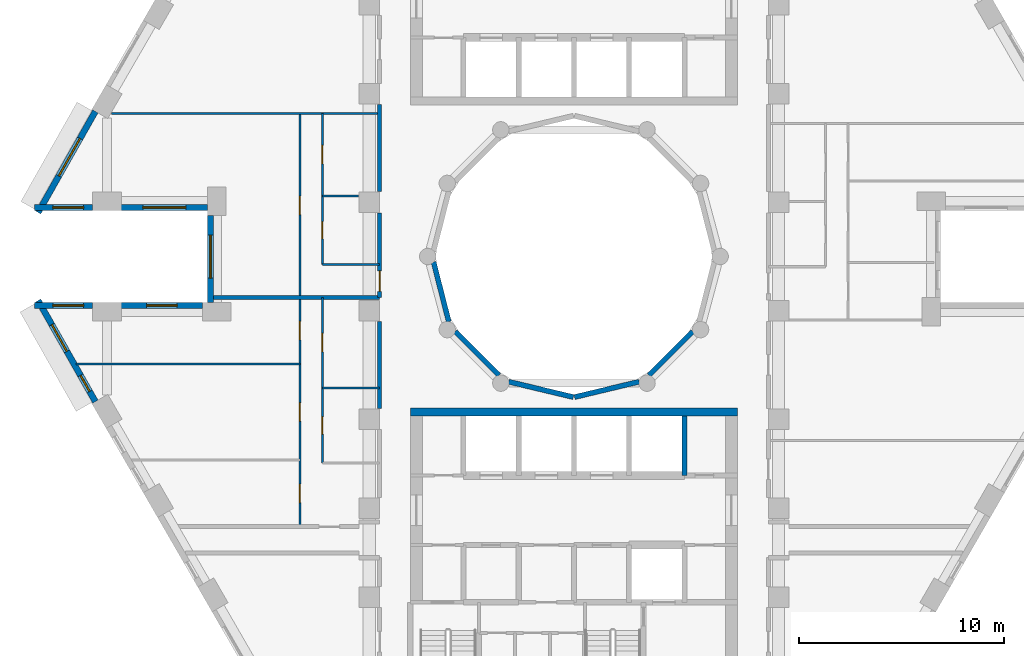
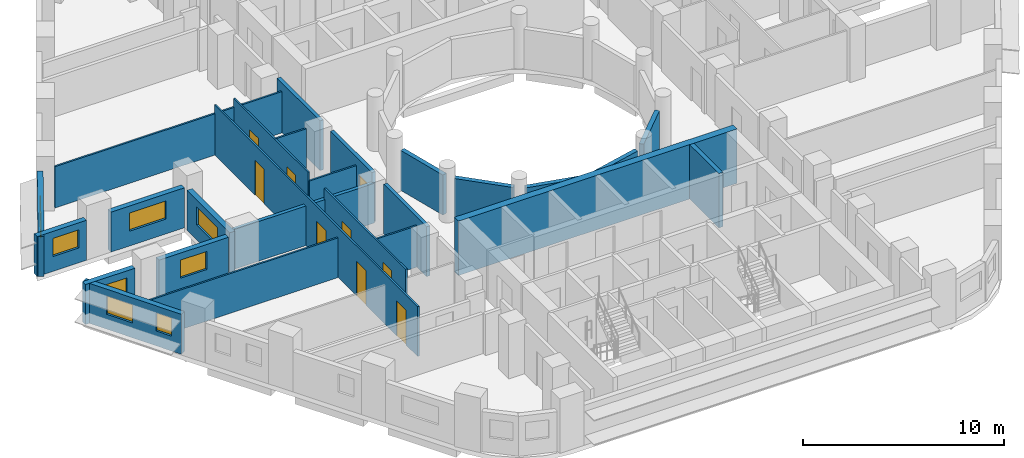
# One storey, part 4 of 12: 26 walls, 9 doors, 8 windows, 17 openings.
"""IFC4 building model written with IfcOpenShell, lengths in metres."""

from ifc_helpers import new_model, si_unit, direction, frame, frame_2d, origin, place, context, subcontext, project, spatial, rectangle, extrude, material, layer, layer_set, type_object, element, fill, save


model = new_model("IFC4")

# Units and contexts
model_context = context("Model", 3, precision=1e-05, world=origin(), true_north=direction((0.0, 1.0)))
body_context = subcontext(model_context, "Body", "Model", "MODEL_VIEW")
ifc_project = project(units=[si_unit("LENGTHUNIT", "METRE"), si_unit("AREAUNIT", "SQUARE_METRE"), si_unit("VOLUMEUNIT", "CUBIC_METRE"), si_unit("PLANEANGLEUNIT", "RADIAN"), si_unit("MASSUNIT", "GRAM", prefix="KILO")], contexts=[model_context])

# Site, building, storey
site_placement = place(None, origin())
site = spatial("IfcSite", under=ifc_project, at=site_placement, CompositionType="ELEMENT")
building_placement = place(site_placement, origin())
building = spatial("IfcBuilding", under=site, at=building_placement, Name="Nakaniwa Court", CompositionType="ELEMENT")
storey_placement = place(building_placement, frame((0.0, 0.0, 104.10009765625)))
storey = spatial("IfcBuildingStorey", under=building, at=storey_placement, Name="L27", CompositionType="ELEMENT", Elevation=104.10009765625)

# Wall
ifc_material_1 = material(Name="Acoustic double stud partition")
ifc_layer_1 = layer(ifc_material_1, 0.199951171875)
ifc_layer_set_1 = layer_set([ifc_layer_1], Name="Acoustic double stud partition")
wall_type_1 = type_object("IfcWallType", Name="Acoustic double stud partition 200", PredefinedType="PARTITIONING", material=ifc_layer_set_1)
wall_1_placement = place(storey_placement, frame((70.5, 72.56689453125, 0.0), z_axis=(0.0, 0.0, 1.0), x_axis=(0.0, 1.0, 0.0)))
element("IfcWall", 1, at=wall_1_placement, inside=storey, type_object=wall_type_1, Name="Partition PW-101", PredefinedType="PARTITIONING", context=body_context, shape_type="SweptSolid", body=[
    extrude(rectangle(XDim=4.26611328125, YDim=0.199951171875, at=frame_2d((2.133056640625, 0.0))), origin(), (0.0, 0.0, 1.0), 3.02490234375),
])

# Wall, opening, door
wall_2_placement = place(storey_placement, frame((70.5, 77.9970703125, 0.0), z_axis=(0.0, 0.0, 1.0), x_axis=(0.0, 1.0, 0.0)))
wall_2 = element("IfcWall", 2, at=wall_2_placement, inside=storey, type_object=wall_type_1, Name="Partition PW-102", PredefinedType="PARTITIONING", context=body_context, shape_type="SweptSolid", body=[
    extrude(rectangle(XDim=4.135986328125, YDim=0.199951171875, at=frame_2d((2.06787109375, 0.0))), origin(), (0.0, 0.0, 1.0), 3.02490234375),
])
opening_1_placement = place(wall_2_placement, frame((0.302978515625, 0.0, 0.0)))
opening_1 = element("IfcOpeningElement", 3, at=opening_1_placement, cuts=wall_2, Name="Opening D-01-03", PredefinedType="OPENING", context=body_context, shape_type="SweptSolid", body=[
    extrude(rectangle(XDim=1.0, YDim=2.10009765625, at=frame_2d((0.5, 1.050048828125))), frame((0.0, 0.10986328125, 0.0), z_axis=(0.0, -1.0, 0.0), x_axis=(1.0, 0.0, 0.0)), (0.0, 0.0, 1.0), 0.219970703125),
])
ifc_material_2 = material(Name="Solid core timber door set, black veneer", Category="wood")
door_type_1 = type_object("IfcDoorType", Name="Flat entrance door 1000", OperationType="NOTDEFINED", PredefinedType="DOOR", material=ifc_material_2)
door_1_placement = place(opening_1_placement, origin())
door_1 = element("IfcDoor", 4, at=door_1_placement, inside=storey, type_object=door_type_1, Name="Door D-01-03 L27-042", OperationType="SINGLE_SWING_LEFT", OverallHeight=2.10009765625, OverallWidth=1.0, PredefinedType="DOOR", context=body_context, shape_type="SweptSolid", body=[
    extrude(rectangle(XDim=1.0, YDim=2.10009765625, at=frame_2d((0.5, 1.050048828125))), frame((0.0, 0.02490234375, 0.0), z_axis=(0.0, -1.0, 0.0), x_axis=(1.0, 0.0, 0.0)), (0.0, 0.0, 1.0), 0.050048828125),
])
fill(opening_1, door_1)

# Walls
wall_3_placement = place(storey_placement, frame((70.5, 83.1669921875, 0.0), z_axis=(0.0, 0.0, 1.0), x_axis=(0.0, 1.0, 0.0)))
element("IfcWall", 5, at=wall_3_placement, inside=storey, type_object=wall_type_1, Name="Partition PW-103", PredefinedType="PARTITIONING", context=body_context, shape_type="SweptSolid", body=[
    extrude(rectangle(XDim=4.26611328125, YDim=0.199951171875, at=frame_2d((2.133056640625, 0.0))), origin(), (0.0, 0.0, 1.0), 3.02490234375),
])
wall_4_placement = place(storey_placement, frame((62.3916015625, 78.0, 0.0), z_axis=(0.0, 0.0, 1.0), x_axis=(1.0, 0.0, 0.0)))
element("IfcWall", 6, at=wall_4_placement, inside=storey, type_object=wall_type_1, Name="Partition PW-122", PredefinedType="PARTITIONING", context=body_context, shape_type="SweptSolid", body=[
    extrude(rectangle(XDim=8.1083984375, YDim=0.199951171875, at=frame_2d((4.05419921875, 0.0))), origin(), (0.0, 0.0, 1.0), 2.40478515625),
])

# Wall, opening, window
ifc_material_3 = material(Name="Charcoal ceramic cladding")
ifc_layer_2 = layer(ifc_material_3, 0.02, Name="Ceramic cladding")
ifc_material_4 = material(Name="Ventilated air cavity")
ifc_layer_3 = layer(ifc_material_4, 0.04, ventilated=True, Name="Ventilated cavity")
ifc_material_5 = material(Name="Mineral wool insulation")
ifc_layer_4 = layer(ifc_material_5, 0.1, Name="Insulation")
ifc_material_6 = material(Name="Cement bonded sheathing board")
ifc_layer_5 = layer(ifc_material_6, 0.012, Name="Sheathing")
ifc_material_7 = material(Name="Cold-formed galvanised stud frame with mineral wool infill")
ifc_layer_6 = layer(ifc_material_7, 0.1, Name="Stud frame")
ifc_material_8 = material(Name="Fire-rated gypsum plasterboard lining")
ifc_layer_7 = layer(ifc_material_8, 0.028, Name="Lining")
ifc_layer_set_2 = layer_set([ifc_layer_2, ifc_layer_3, ifc_layer_4, ifc_layer_5, ifc_layer_6, ifc_layer_7], Name="Charcoal ceramic faced external wall system")
wall_type_2 = type_object("IfcWallType", Name="Black ceramic faced external wall 300", PredefinedType="SOLIDWALL", material=ifc_layer_set_2)
wall_5_placement = place(storey_placement, frame((56.609375, 87.09375, 0.0), z_axis=(0.0, 0.0, 1.0), x_axis=(-0.492456858874, -0.870336855561, 0.0)))
wall_5 = element("IfcWall", 7, at=wall_5_placement, inside=storey, type_object=wall_type_2, Name="L27 external wall 14", PredefinedType="SOLIDWALL", context=body_context, shape_type="SweptSolid", body=[
    extrude(rectangle(XDim=5.676513671875, YDim=0.300048828125, at=frame_2d((2.83837890625, 0.0))), origin(), (0.0, 0.0, 1.0), 2.4248046875),
])
opening_2_placement = place(wall_5_placement, frame((1.52490234375, 0.0, 0.89990234375)))
opening_2 = element("IfcOpeningElement", 8, at=opening_2_placement, cuts=wall_5, Name="Opening W7.15", PredefinedType="OPENING", context=body_context, shape_type="SweptSolid", body=[
    extrude(rectangle(XDim=2.10009765625, YDim=1.10009765625, at=frame_2d((1.050048828125, 0.550048828125))), frame((0.0, 0.159912109375, 0.0), z_axis=(0.0, -1.0, 0.0), x_axis=(1.0, 0.0, 0.0)), (0.0, 0.0, 1.0), 0.320068359375),
])
ifc_material_9 = material(Name="Black anodised aluminium frame with dark low-E laminated double glazing", Category="aluminium")
window_type_1 = type_object("IfcWindowType", Name="Dark glass window 2100x1100 sill 900", PartitioningType="SINGLE_PANEL", PredefinedType="WINDOW", material=ifc_material_9)
window_1_placement = place(opening_2_placement, origin())
window_1 = element("IfcWindow", 9, at=window_1_placement, inside=storey, type_object=window_type_1, Name="L27 living window 14-0", OverallHeight=1.10009765625, OverallWidth=2.10009765625, PartitioningType="SINGLE_PANEL", PredefinedType="WINDOW", context=body_context, shape_type="SweptSolid", body=[
    extrude(rectangle(XDim=2.10009765625, YDim=1.10009765625, at=frame_2d((1.050048828125, 0.550048828125))), frame((0.0, 0.030029296875, 0.0), z_axis=(0.0, -1.0, 0.0), x_axis=(1.0, 0.0, 0.0)), (0.0, 0.0, 1.0), 0.06005859375),
])
fill(opening_2, window_1)

wall_6_placement = place(storey_placement, frame((53.643310546875, 82.39990234375, 0.0), z_axis=(0.0, 0.0, 1.0), x_axis=(1.0, 0.0, 0.0)))
wall_6 = element("IfcWall", 10, at=wall_6_placement, inside=storey, type_object=wall_type_2, Name="L27 external wall 15", PredefinedType="SOLIDWALL", context=body_context, shape_type="SweptSolid", body=[
    extrude(rectangle(XDim=2.837890625, YDim=0.300048828125, at=frame_2d((1.4189453125, 0.0))), origin(), (0.0, 0.0, 1.0), 2.4248046875),
])
opening_3_placement = place(wall_6_placement, frame((0.893798828125, 0.0, 0.89990234375)))
opening_3 = element("IfcOpeningElement", 11, at=opening_3_placement, cuts=wall_6, Name="Opening W5.16", PredefinedType="OPENING", context=body_context, shape_type="SweptSolid", body=[
    extrude(rectangle(XDim=1.5, YDim=1.10009765625, at=frame_2d((0.75, 0.550048828125))), frame((0.0, 0.159912109375, 0.0), z_axis=(0.0, -1.0, 0.0), x_axis=(1.0, 0.0, 0.0)), (0.0, 0.0, 1.0), 0.320068359375),
])
window_type_2 = type_object("IfcWindowType", Name="Dark glass window 1500x1100 sill 900", PartitioningType="SINGLE_PANEL", PredefinedType="WINDOW", material=ifc_material_9)
window_2_placement = place(opening_3_placement, origin())
window_2 = element("IfcWindow", 12, at=window_2_placement, inside=storey, type_object=window_type_2, Name="L27 living window 15-0", OverallHeight=1.10009765625, OverallWidth=1.5, PartitioningType="SINGLE_PANEL", PredefinedType="WINDOW", context=body_context, shape_type="SweptSolid", body=[
    extrude(rectangle(XDim=1.5, YDim=1.10009765625, at=frame_2d((0.75, 0.550048828125))), frame((0.0, 0.030029296875, 0.0), z_axis=(0.0, -1.0, 0.0), x_axis=(1.0, 0.0, 0.0)), (0.0, 0.0, 1.0), 0.06005859375),
])
fill(opening_3, window_2)

wall_7_placement = place(storey_placement, frame((57.873046875, 82.39990234375, 0.0), z_axis=(0.0, 0.0, 1.0), x_axis=(1.0, 0.0, 0.0)))
wall_7 = element("IfcWall", 13, at=wall_7_placement, inside=storey, type_object=wall_type_2, Name="L27 external wall 16", PredefinedType="SOLIDWALL", context=body_context, shape_type="SweptSolid", body=[
    extrude(rectangle(XDim=4.22265625, YDim=0.300048828125, at=frame_2d((2.111328125, 0.0))), origin(), (0.0, 0.0, 1.0), 2.4248046875),
])
opening_4_placement = place(wall_7_placement, frame((1.061279296875, 0.0, 0.89990234375)))
opening_4 = element("IfcOpeningElement", 14, at=opening_4_placement, cuts=wall_7, Name="Opening W7.17", PredefinedType="OPENING", context=body_context, shape_type="SweptSolid", body=[
    extrude(rectangle(XDim=2.10009765625, YDim=1.10009765625, at=frame_2d((1.050048828125, 0.550048828125))), frame((0.0, 0.159912109375, 0.0), z_axis=(0.0, -1.0, 0.0), x_axis=(1.0, 0.0, 0.0)), (0.0, 0.0, 1.0), 0.320068359375),
])
window_3_placement = place(opening_4_placement, origin())
window_3 = element("IfcWindow", 15, at=window_3_placement, inside=storey, type_object=window_type_1, Name="L27 living window 16-0", OverallHeight=1.10009765625, OverallWidth=2.10009765625, PartitioningType="SINGLE_PANEL", PredefinedType="WINDOW", context=body_context, shape_type="SweptSolid", body=[
    extrude(rectangle(XDim=2.10009765625, YDim=1.10009765625, at=frame_2d((1.050048828125, 0.550048828125))), frame((0.0, 0.030029296875, 0.0), z_axis=(0.0, -1.0, 0.0), x_axis=(1.0, 0.0, 0.0)), (0.0, 0.0, 1.0), 0.06005859375),
])
fill(opening_4, window_3)

wall_8_placement = place(storey_placement, frame((62.24169921875, 82.00390625, 0.0), z_axis=(0.0, 0.0, 1.0), x_axis=(0.0, -1.0, 0.0)))
wall_8 = element("IfcWall", 16, at=wall_8_placement, inside=storey, type_object=wall_type_2, Name="L27 external wall 17", PredefinedType="SOLIDWALL", context=body_context, shape_type="SweptSolid", body=[
    extrude(rectangle(XDim=4.2578125, YDim=0.300048828125, at=frame_2d((2.12890625, 0.0))), origin(), (0.0, 0.0, 1.0), 2.4248046875),
])
opening_5_placement = place(wall_8_placement, frame((0.964111328125, 0.0, 0.89990234375)))
opening_5 = element("IfcOpeningElement", 17, at=opening_5_placement, cuts=wall_8, Name="Opening W7.18", PredefinedType="OPENING", context=body_context, shape_type="SweptSolid", body=[
    extrude(rectangle(XDim=2.10009765625, YDim=1.10009765625, at=frame_2d((1.050048828125, 0.550048828125))), frame((0.0, 0.159912109375, 0.0), z_axis=(0.0, -1.0, 0.0), x_axis=(1.0, 0.0, 0.0)), (0.0, 0.0, 1.0), 0.320068359375),
])
window_4_placement = place(opening_5_placement, origin())
window_4 = element("IfcWindow", 18, at=window_4_placement, inside=storey, type_object=window_type_1, Name="L27 living window 17-0", OverallHeight=1.10009765625, OverallWidth=2.10009765625, PartitioningType="SINGLE_PANEL", PredefinedType="WINDOW", context=body_context, shape_type="SweptSolid", body=[
    extrude(rectangle(XDim=2.10009765625, YDim=1.10009765625, at=frame_2d((1.050048828125, 0.550048828125))), frame((0.0, 0.030029296875, 0.0), z_axis=(0.0, -1.0, 0.0), x_axis=(1.0, 0.0, 0.0)), (0.0, 0.0, 1.0), 0.06005859375),
])
fill(opening_5, window_4)

wall_9_placement = place(storey_placement, frame((61.845703125, 77.60009765625, 0.0), z_axis=(0.0, 0.0, 1.0), x_axis=(-1.0, 0.0, 0.0)))
wall_9 = element("IfcWall", 19, at=wall_9_placement, inside=storey, type_object=wall_type_2, Name="L27 external wall 18", PredefinedType="SOLIDWALL", context=body_context, shape_type="SweptSolid", body=[
    extrude(rectangle(XDim=3.97265625, YDim=0.300048828125, at=frame_2d((1.986328125, 0.0))), origin(), (0.0, 0.0, 1.0), 2.4248046875),
])
opening_6_placement = place(wall_9_placement, frame((1.236328125, 0.0, 0.89990234375)))
opening_6 = element("IfcOpeningElement", 20, at=opening_6_placement, cuts=wall_9, Name="Opening W5.19", PredefinedType="OPENING", context=body_context, shape_type="SweptSolid", body=[
    extrude(rectangle(XDim=1.5, YDim=1.10009765625, at=frame_2d((0.75, 0.550048828125))), frame((0.0, 0.159912109375, 0.0), z_axis=(0.0, -1.0, 0.0), x_axis=(1.0, 0.0, 0.0)), (0.0, 0.0, 1.0), 0.320068359375),
])
window_5_placement = place(opening_6_placement, origin())
window_5 = element("IfcWindow", 21, at=window_5_placement, inside=storey, type_object=window_type_2, Name="L27 bedroom window 18-0", OverallHeight=1.10009765625, OverallWidth=1.5, PartitioningType="SINGLE_PANEL", PredefinedType="WINDOW", context=body_context, shape_type="SweptSolid", body=[
    extrude(rectangle(XDim=1.5, YDim=1.10009765625, at=frame_2d((0.75, 0.550048828125))), frame((0.0, 0.030029296875, 0.0), z_axis=(0.0, -1.0, 0.0), x_axis=(1.0, 0.0, 0.0)), (0.0, 0.0, 1.0), 0.06005859375),
])
fill(opening_6, window_5)

wall_10_placement = place(storey_placement, frame((56.481201171875, 77.60009765625, 0.0), z_axis=(0.0, 0.0, 1.0), x_axis=(-1.0, 0.0, 0.0)))
wall_10 = element("IfcWall", 22, at=wall_10_placement, inside=storey, type_object=wall_type_2, Name="L27 external wall 19", PredefinedType="SOLIDWALL", context=body_context, shape_type="SweptSolid", body=[
    extrude(rectangle(XDim=2.837890625, YDim=0.300048828125, at=frame_2d((1.4189453125, 0.0))), origin(), (0.0, 0.0, 1.0), 2.4248046875),
])
opening_7_placement = place(wall_10_placement, frame((0.44384765625, 0.0, 0.89990234375)))
opening_7 = element("IfcOpeningElement", 23, at=opening_7_placement, cuts=wall_10, Name="Opening W5.20", PredefinedType="OPENING", context=body_context, shape_type="SweptSolid", body=[
    extrude(rectangle(XDim=1.5, YDim=1.10009765625, at=frame_2d((0.75, 0.550048828125))), frame((0.0, 0.159912109375, 0.0), z_axis=(0.0, -1.0, 0.0), x_axis=(1.0, 0.0, 0.0)), (0.0, 0.0, 1.0), 0.320068359375),
])
window_6_placement = place(opening_7_placement, origin())
window_6 = element("IfcWindow", 24, at=window_6_placement, inside=storey, type_object=window_type_2, Name="L27 bedroom window 19-0", OverallHeight=1.10009765625, OverallWidth=1.5, PartitioningType="SINGLE_PANEL", PredefinedType="WINDOW", context=body_context, shape_type="SweptSolid", body=[
    extrude(rectangle(XDim=1.5, YDim=1.10009765625, at=frame_2d((0.75, 0.550048828125))), frame((0.0, 0.030029296875, 0.0), z_axis=(0.0, -1.0, 0.0), x_axis=(1.0, 0.0, 0.0)), (0.0, 0.0, 1.0), 0.06005859375),
])
fill(opening_7, window_6)

# Wall, openings, windows
wall_11_placement = place(storey_placement, frame((53.81396484375, 77.8466796875, 0.0), z_axis=(0.0, 0.0, 1.0), x_axis=(0.492456858874, -0.870336855561, 0.0)))
wall_11 = element("IfcWall", 25, at=wall_11_placement, inside=storey, type_object=wall_type_2, Name="L27 external wall 20", PredefinedType="SOLIDWALL", context=body_context, shape_type="SweptSolid", body=[
    extrude(rectangle(XDim=5.676513671875, YDim=0.300048828125, at=frame_2d((2.83837890625, 0.0))), origin(), (0.0, 0.0, 1.0), 2.4248046875),
])
opening_8_placement = place(wall_11_placement, frame((1.35400390625, 0.0, 0.89990234375)))
opening_8 = element("IfcOpeningElement", 26, at=opening_8_placement, cuts=wall_11, Name="Opening W5.21", PredefinedType="OPENING", context=body_context, shape_type="SweptSolid", body=[
    extrude(rectangle(XDim=1.5, YDim=1.10009765625, at=frame_2d((0.75, 0.550048828125))), frame((0.0, 0.159912109375, 0.0), z_axis=(0.0, -1.0, 0.0), x_axis=(1.0, 0.0, 0.0)), (0.0, 0.0, 1.0), 0.320068359375),
])
opening_9_placement = place(wall_11_placement, frame((4.203369140625, 0.0, 0.89990234375)))
opening_9 = element("IfcOpeningElement", 27, at=opening_9_placement, cuts=wall_11, Name="Opening W9.22", PredefinedType="OPENING", context=body_context, shape_type="SweptSolid", body=[
    extrude(rectangle(XDim=0.89990234375, YDim=1.10009765625, at=frame_2d((0.449951171875, 0.550048828125))), frame((0.0, 0.159912109375, 0.0), z_axis=(0.0, -1.0, 0.0), x_axis=(1.0, 0.0, 0.0)), (0.0, 0.0, 1.0), 0.320068359375),
])
window_7_placement = place(opening_8_placement, origin())
window_7 = element("IfcWindow", 28, at=window_7_placement, inside=storey, type_object=window_type_2, Name="L27 bedroom window 20-0", OverallHeight=1.10009765625, OverallWidth=1.5, PartitioningType="SINGLE_PANEL", PredefinedType="WINDOW", context=body_context, shape_type="SweptSolid", body=[
    extrude(rectangle(XDim=1.5, YDim=1.10009765625, at=frame_2d((0.75, 0.550048828125))), frame((0.0, 0.030029296875, 0.0), z_axis=(0.0, -1.0, 0.0), x_axis=(1.0, 0.0, 0.0)), (0.0, 0.0, 1.0), 0.06005859375),
])
fill(opening_8, window_7)
window_type_3 = type_object("IfcWindowType", Name="Dark glass window 900x1100 sill 900", PartitioningType="SINGLE_PANEL", PredefinedType="WINDOW", material=ifc_material_9)
window_8_placement = place(opening_9_placement, origin())
window_8 = element("IfcWindow", 29, at=window_8_placement, inside=storey, type_object=window_type_3, Name="L27 living window 20-1", OverallHeight=1.10009765625, OverallWidth=0.89990234375, PartitioningType="SINGLE_PANEL", PredefinedType="WINDOW", context=body_context, shape_type="SweptSolid", body=[
    extrude(rectangle(XDim=0.89990234375, YDim=1.10009765625, at=frame_2d((0.449951171875, 0.550048828125))), frame((0.0, 0.030029296875, 0.0), z_axis=(0.0, -1.0, 0.0), x_axis=(1.0, 0.0, 0.0)), (0.0, 0.0, 1.0), 0.06005859375),
])
fill(opening_9, window_8)

# Walls
ifc_layer_8 = layer(ifc_material_3, 0.02, Name="Ceramic cladding")
ifc_layer_9 = layer(ifc_material_4, 0.04, ventilated=True, Name="Ventilated cavity")
ifc_layer_10 = layer(ifc_material_5, 0.075, Name="Insulation")
ifc_layer_11 = layer(ifc_material_6, 0.012, Name="Sheathing")
ifc_layer_12 = layer(ifc_material_7, 0.075, Name="Stud frame")
ifc_layer_13 = layer(ifc_material_8, 0.028, Name="Lining")
ifc_layer_set_3 = layer_set([ifc_layer_8, ifc_layer_9, ifc_layer_10, ifc_layer_11, ifc_layer_12, ifc_layer_13], Name="Charcoal ceramic faced external wall system")
wall_type_3 = type_object("IfcWallType", Name="Charcoal ceramic faced well wall 250", PredefinedType="SOLIDWALL", material=ifc_layer_set_3)
wall_12_placement = place(storey_placement, frame((85.8056640625, 76.339111328125, 0.0), z_axis=(0.0, 0.0, 1.0), x_axis=(-0.707106781187, -0.707106781187, 0.0)))
element("IfcWall", 30, at=wall_12_placement, inside=storey, type_object=wall_type_3, Name="L27 external wall 37", PredefinedType="SOLIDWALL", context=body_context, shape_type="SweptSolid", body=[
    extrude(rectangle(XDim=3.033203125, YDim=0.25, at=frame_2d((1.5166015625, 0.0))), origin(), (0.0, 0.0, 1.0), 2.4248046875),
])
for number, where, z_axis, x_axis, name in (
    (31, (83.186279296875, 73.880615234375, 0.0), (0.0, 0.0, 1.0), (-0.972773113459, -0.231759508395, 0.0), "L27 external wall 38"),
    (32, (79.970947265625, 73.12841796875, 0.0), (0.0, 0.0, 1.0), (-0.972773113459, 0.231759508395, 0.0), "L27 external wall 39"),
):
    element("IfcWall", number, at=place(storey_placement, frame(where, z_axis=z_axis, x_axis=x_axis)), inside=storey, type_object=wall_type_3, Name=name, PredefinedType="SOLIDWALL", context=body_context, shape_type="SweptSolid", body=[
        extrude(rectangle(XDim=3.24560546875, YDim=0.25, at=frame_2d((1.622802734375, 0.0))), origin(), (0.0, 0.0, 1.0), 2.4248046875),
    ])
wall_13_placement = place(storey_placement, frame((76.339111328125, 74.1943359375, 0.0), z_axis=(0.0, 0.0, 1.0), x_axis=(-0.707106781187, 0.707106781187, 0.0)))
element("IfcWall", 33, at=wall_13_placement, inside=storey, type_object=wall_type_3, Name="L27 external wall 40", PredefinedType="SOLIDWALL", context=body_context, shape_type="SweptSolid", body=[
    extrude(rectangle(XDim=3.033203125, YDim=0.25, at=frame_2d((1.5166015625, 0.0))), origin(), (0.0, 0.0, 1.0), 2.4248046875),
])
wall_14_placement = place(storey_placement, frame((73.88330078125, 76.813232421875, 0.0), z_axis=(0.0, 0.0, 1.0), x_axis=(-0.247055971283, 0.969001211069, 0.0)))
element("IfcWall", 34, at=wall_14_placement, inside=storey, type_object=wall_type_3, Name="L27 external wall 41", PredefinedType="SOLIDWALL", context=body_context, shape_type="SweptSolid", body=[
    extrude(rectangle(XDim=3.010009765625, YDim=0.25, at=frame_2d((1.5048828125, 0.0))), origin(), (0.0, 0.0, 1.0), 2.4248046875),
])
ifc_material_10 = material(Name="Concrete C80/100", Category="concrete")
ifc_layer_14 = layer(ifc_material_10, 0.39990234375)
ifc_layer_set_4 = layer_set([ifc_layer_14], Name="Concrete C80/100")
wall_type_4 = type_object("IfcWallType", Name="Concrete core well wall 400 C80", PredefinedType="SHEAR", material=ifc_layer_set_4)
wall_15_placement = place(storey_placement, frame((72.00390625, 72.39990234375, -0.275146484375), z_axis=(0.0, 0.0, 1.0), x_axis=(1.0, 0.0, 0.0)))
element("IfcWall", 35, at=wall_15_placement, inside=storey, type_object=wall_type_4, Name="Core wall SW-131", PredefinedType="SHEAR", context=body_context, shape_type="SweptSolid", body=[
    extrude(rectangle(XDim=15.9921875, YDim=0.39990234375, at=frame_2d((7.99609375, 0.0))), origin(), (0.0, 0.0, 1.0), 3.300048828125),
])
ifc_layer_15 = layer(ifc_material_10, 0.25)
ifc_layer_set_5 = layer_set([ifc_layer_15], Name="Concrete C80/100")
wall_type_5 = type_object("IfcWallType", Name="Concrete shaft wall 250 C80", PredefinedType="SHEAR", material=ifc_layer_set_5)
wall_16_placement = place(storey_placement, frame((85.39990234375, 69.300048828125, -0.275146484375), z_axis=(0.0, 0.0, 1.0), x_axis=(0.0, 1.0, 0.0)))
element("IfcWall", 36, at=wall_16_placement, inside=storey, type_object=wall_type_5, Name="Core wall SW-47", PredefinedType="SHEAR", context=body_context, shape_type="SweptSolid", body=[
    extrude(rectangle(XDim=2.89990234375, YDim=0.25, at=frame_2d((1.449951171875, 0.0))), origin(), (0.0, 0.0, 1.0), 3.300048828125),
])
ifc_material_11 = material(Name="Single stud plasterboard partition")
ifc_layer_16 = layer(ifc_material_11, 0.10009765625)
ifc_layer_set_6 = layer_set([ifc_layer_16], Name="Single stud plasterboard partition")
wall_type_6 = type_object("IfcWallType", Name="Single stud plasterboard partition 100", PredefinedType="PARTITIONING", material=ifc_layer_set_6)
wall_17_placement = place(storey_placement, frame((67.699951171875, 73.58203125, 0.0), z_axis=(0.0, 0.0, 1.0), x_axis=(1.0, 0.0, 0.0)))
element("IfcWall", 37, at=wall_17_placement, inside=storey, type_object=wall_type_6, Name="Partition PW-118", PredefinedType="PARTITIONING", context=body_context, shape_type="SweptSolid", body=[
    extrude(rectangle(XDim=2.800048828125, YDim=0.10009765625, at=frame_2d((1.39990234375, 0.0))), origin(), (0.0, 0.0, 1.0), 2.5048828125),
])

# Wall, openings, doors
wall_18_placement = place(storey_placement, frame((67.699951171875, 78.0, 0.0), z_axis=(0.0, 0.0, 1.0), x_axis=(0.0, -1.0, 0.0)))
wall_18 = element("IfcWall", 38, at=wall_18_placement, inside=storey, type_object=wall_type_6, Name="Partition PW-120", PredefinedType="PARTITIONING", context=body_context, shape_type="SweptSolid", body=[
    extrude(rectangle(XDim=8.10009765625, YDim=0.10009765625, at=frame_2d((4.050048828125, 0.0))), origin(), (0.0, 0.0, 1.0), 3.02490234375),
])
opening_10_placement = place(wall_18_placement, frame((5.833984375, 0.0, 0.0)))
opening_10 = element("IfcOpeningElement", 39, at=opening_10_placement, cuts=wall_18, Name="Opening D-03-02", PredefinedType="OPENING", context=body_context, shape_type="SweptSolid", body=[
    extrude(rectangle(XDim=0.85009765625, YDim=2.10009765625, at=frame_2d((0.425048828125, 1.050048828125))), frame((0.0, 0.06005859375, 0.0), z_axis=(0.0, -1.0, 0.0), x_axis=(1.0, 0.0, 0.0)), (0.0, 0.0, 1.0), 0.1201171875),
])
opening_11_placement = place(wall_18_placement, frame((1.759033203125, 0.0, 0.0)))
opening_11 = element("IfcOpeningElement", 40, at=opening_11_placement, cuts=wall_18, Name="Opening D-33-05", PredefinedType="OPENING", context=body_context, shape_type="SweptSolid", body=[
    extrude(rectangle(XDim=0.89990234375, YDim=2.10009765625, at=frame_2d((0.449951171875, 1.050048828125))), frame((0.0, 0.06005859375, 0.0), z_axis=(0.0, -1.0, 0.0), x_axis=(1.0, 0.0, 0.0)), (0.0, 0.0, 1.0), 0.1201171875),
])
ifc_material_12 = material(Name="Moisture sealed timber door set", Category="wood")
door_type_2 = type_object("IfcDoorType", Name="Bathroom door 850", OperationType="NOTDEFINED", PredefinedType="DOOR", material=ifc_material_12)
door_2_placement = place(opening_10_placement, origin())
door_2 = element("IfcDoor", 41, at=door_2_placement, inside=storey, type_object=door_type_2, Name="Door D-03-02 L27-037", OperationType="SINGLE_SWING_RIGHT", OverallHeight=2.10009765625, OverallWidth=0.85009765625, PredefinedType="DOOR", context=body_context, shape_type="SweptSolid", body=[
    extrude(rectangle(XDim=0.85009765625, YDim=2.10009765625, at=frame_2d((0.425048828125, 1.050048828125))), frame((0.0, 0.02490234375, 0.0), z_axis=(0.0, -1.0, 0.0), x_axis=(1.0, 0.0, 0.0)), (0.0, 0.0, 1.0), 0.050048828125),
])
fill(opening_10, door_2)
door_type_3 = type_object("IfcDoorType", Name="Internal door 900", OperationType="NOTDEFINED", PredefinedType="DOOR", material=ifc_material_2)
door_3_placement = place(opening_11_placement, origin())
door_3 = element("IfcDoor", 42, at=door_3_placement, inside=storey, type_object=door_type_3, Name="Door D-33-05 L27-038", OperationType="SINGLE_SWING_LEFT", OverallHeight=2.10009765625, OverallWidth=0.89990234375, PredefinedType="DOOR", context=body_context, shape_type="SweptSolid", body=[
    extrude(rectangle(XDim=0.89990234375, YDim=2.10009765625, at=frame_2d((0.449951171875, 1.050048828125))), frame((0.0, 0.02490234375, 0.0), z_axis=(0.0, -1.0, 0.0), x_axis=(1.0, 0.0, 0.0)), (0.0, 0.0, 1.0), 0.050048828125),
])
fill(opening_11, door_3)

wall_19_placement = place(storey_placement, frame((67.699951171875, 87.0, 0.0), z_axis=(0.0, 0.0, 1.0), x_axis=(0.0, -1.0, 0.0)))
wall_19 = element("IfcWall", 43, at=wall_19_placement, inside=storey, type_object=wall_type_6, Name="Partition PW-121", PredefinedType="PARTITIONING", context=body_context, shape_type="SweptSolid", body=[
    extrude(rectangle(XDim=7.39990234375, YDim=0.10009765625, at=frame_2d((3.699951171875, 0.0))), origin(), (0.0, 0.0, 1.0), 3.02490234375),
])
opening_12_placement = place(wall_19_placement, frame((5.29296875, 0.0, 0.0)))
opening_12 = element("IfcOpeningElement", 44, at=opening_12_placement, cuts=wall_19, Name="Opening D-03-03", PredefinedType="OPENING", context=body_context, shape_type="SweptSolid", body=[
    extrude(rectangle(XDim=0.85009765625, YDim=2.10009765625, at=frame_2d((0.425048828125, 1.050048828125))), frame((0.0, 0.06005859375, 0.0), z_axis=(0.0, -1.0, 0.0), x_axis=(1.0, 0.0, 0.0)), (0.0, 0.0, 1.0), 0.1201171875),
])
opening_13_placement = place(wall_19_placement, frame((1.568115234375, 0.0, 0.0)))
opening_13 = element("IfcOpeningElement", 45, at=opening_13_placement, cuts=wall_19, Name="Opening D-33-09", PredefinedType="OPENING", context=body_context, shape_type="SweptSolid", body=[
    extrude(rectangle(XDim=0.89990234375, YDim=2.10009765625, at=frame_2d((0.449951171875, 1.050048828125))), frame((0.0, 0.06005859375, 0.0), z_axis=(0.0, -1.0, 0.0), x_axis=(1.0, 0.0, 0.0)), (0.0, 0.0, 1.0), 0.1201171875),
])
door_4_placement = place(opening_12_placement, origin())
door_4 = element("IfcDoor", 46, at=door_4_placement, inside=storey, type_object=door_type_2, Name="Door D-03-03 L27-043", OperationType="SINGLE_SWING_RIGHT", OverallHeight=2.10009765625, OverallWidth=0.85009765625, PredefinedType="DOOR", context=body_context, shape_type="SweptSolid", body=[
    extrude(rectangle(XDim=0.85009765625, YDim=2.10009765625, at=frame_2d((0.425048828125, 1.050048828125))), frame((0.0, 0.02490234375, 0.0), z_axis=(0.0, -1.0, 0.0), x_axis=(1.0, 0.0, 0.0)), (0.0, 0.0, 1.0), 0.050048828125),
])
fill(opening_12, door_4)
door_5_placement = place(opening_13_placement, origin())
door_5 = element("IfcDoor", 47, at=door_5_placement, inside=storey, type_object=door_type_3, Name="Door D-33-09 L27-044", OperationType="SINGLE_SWING_LEFT", OverallHeight=2.10009765625, OverallWidth=0.89990234375, PredefinedType="DOOR", context=body_context, shape_type="SweptSolid", body=[
    extrude(rectangle(XDim=0.89990234375, YDim=2.10009765625, at=frame_2d((0.449951171875, 1.050048828125))), frame((0.0, 0.02490234375, 0.0), z_axis=(0.0, -1.0, 0.0), x_axis=(1.0, 0.0, 0.0)), (0.0, 0.0, 1.0), 0.050048828125),
])
fill(opening_13, door_5)

wall_20_placement = place(storey_placement, frame((66.60009765625, 66.800048828125, 0.0), z_axis=(0.0, 0.0, 1.0), x_axis=(0.0, 1.0, 0.0)))
wall_20 = element("IfcWall", 48, at=wall_20_placement, inside=storey, type_object=wall_type_6, Name="Partition PW-123", PredefinedType="PARTITIONING", context=body_context, shape_type="SweptSolid", body=[
    extrude(rectangle(XDim=20.199951171875, YDim=0.10009765625, at=frame_2d((10.10009765625, 0.0))), origin(), (0.0, 0.0, 1.0), 3.02490234375),
])
opening_14_placement = place(wall_20_placement, frame((1.176025390625, 0.0, 0.0)))
opening_14 = element("IfcOpeningElement", 49, at=opening_14_placement, cuts=wall_20, Name="Opening D-33-06", PredefinedType="OPENING", context=body_context, shape_type="SweptSolid", body=[
    extrude(rectangle(XDim=0.89990234375, YDim=2.10009765625, at=frame_2d((0.449951171875, 1.050048828125))), frame((0.0, 0.06005859375, 0.0), z_axis=(0.0, -1.0, 0.0), x_axis=(1.0, 0.0, 0.0)), (0.0, 0.0, 1.0), 0.1201171875),
])
opening_15_placement = place(wall_20_placement, frame((5.14990234375, 0.0, 0.0)))
opening_15 = element("IfcOpeningElement", 50, at=opening_15_placement, cuts=wall_20, Name="Opening D-33-07", PredefinedType="OPENING", context=body_context, shape_type="SweptSolid", body=[
    extrude(rectangle(XDim=0.89990234375, YDim=2.10009765625, at=frame_2d((0.449951171875, 1.050048828125))), frame((0.0, 0.06005859375, 0.0), z_axis=(0.0, -1.0, 0.0), x_axis=(1.0, 0.0, 0.0)), (0.0, 0.0, 1.0), 0.1201171875),
])
opening_16_placement = place(wall_20_placement, frame((9.1240234375, 0.0, 0.0)))
opening_16 = element("IfcOpeningElement", 51, at=opening_16_placement, cuts=wall_20, Name="Opening D-33-08", PredefinedType="OPENING", context=body_context, shape_type="SweptSolid", body=[
    extrude(rectangle(XDim=0.89990234375, YDim=2.10009765625, at=frame_2d((0.449951171875, 1.050048828125))), frame((0.0, 0.06005859375, 0.0), z_axis=(0.0, -1.0, 0.0), x_axis=(1.0, 0.0, 0.0)), (0.0, 0.0, 1.0), 0.1201171875),
])
opening_17_placement = place(wall_20_placement, frame((15.25, 0.0, 0.0)))
opening_17 = element("IfcOpeningElement", 52, at=opening_17_placement, cuts=wall_20, Name="Opening D-33-10", PredefinedType="OPENING", context=body_context, shape_type="SweptSolid", body=[
    extrude(rectangle(XDim=0.89990234375, YDim=2.10009765625, at=frame_2d((0.449951171875, 1.050048828125))), frame((0.0, 0.06005859375, 0.0), z_axis=(0.0, -1.0, 0.0), x_axis=(1.0, 0.0, 0.0)), (0.0, 0.0, 1.0), 0.1201171875),
])
door_6_placement = place(opening_14_placement, origin())
door_6 = element("IfcDoor", 53, at=door_6_placement, inside=storey, type_object=door_type_3, Name="Door D-33-06 L27-039", OperationType="SINGLE_SWING_RIGHT", OverallHeight=2.10009765625, OverallWidth=0.89990234375, PredefinedType="DOOR", context=body_context, shape_type="SweptSolid", body=[
    extrude(rectangle(XDim=0.89990234375, YDim=2.10009765625, at=frame_2d((0.449951171875, 1.050048828125))), frame((0.0, 0.02490234375, 0.0), z_axis=(0.0, -1.0, 0.0), x_axis=(1.0, 0.0, 0.0)), (0.0, 0.0, 1.0), 0.050048828125),
])
fill(opening_14, door_6)
door_7_placement = place(opening_15_placement, origin())
door_7 = element("IfcDoor", 54, at=door_7_placement, inside=storey, type_object=door_type_3, Name="Door D-33-07 L27-040", OperationType="SINGLE_SWING_LEFT", OverallHeight=2.10009765625, OverallWidth=0.89990234375, PredefinedType="DOOR", context=body_context, shape_type="SweptSolid", body=[
    extrude(rectangle(XDim=0.89990234375, YDim=2.10009765625, at=frame_2d((0.449951171875, 1.050048828125))), frame((0.0, 0.02490234375, 0.0), z_axis=(0.0, -1.0, 0.0), x_axis=(1.0, 0.0, 0.0)), (0.0, 0.0, 1.0), 0.050048828125),
])
fill(opening_15, door_7)
door_8_placement = place(opening_16_placement, origin())
door_8 = element("IfcDoor", 55, at=door_8_placement, inside=storey, type_object=door_type_3, Name="Door D-33-08 L27-041", OperationType="SINGLE_SWING_RIGHT", OverallHeight=2.10009765625, OverallWidth=0.89990234375, PredefinedType="DOOR", context=body_context, shape_type="SweptSolid", body=[
    extrude(rectangle(XDim=0.89990234375, YDim=2.10009765625, at=frame_2d((0.449951171875, 1.050048828125))), frame((0.0, 0.02490234375, 0.0), z_axis=(0.0, -1.0, 0.0), x_axis=(1.0, 0.0, 0.0)), (0.0, 0.0, 1.0), 0.050048828125),
])
fill(opening_16, door_8)
door_9_placement = place(opening_17_placement, origin())
door_9 = element("IfcDoor", 56, at=door_9_placement, inside=storey, type_object=door_type_3, Name="Door D-33-10 L27-045", OperationType="SINGLE_SWING_RIGHT", OverallHeight=2.10009765625, OverallWidth=0.89990234375, PredefinedType="DOOR", context=body_context, shape_type="SweptSolid", body=[
    extrude(rectangle(XDim=0.89990234375, YDim=2.10009765625, at=frame_2d((0.449951171875, 1.050048828125))), frame((0.0, 0.02490234375, 0.0), z_axis=(0.0, -1.0, 0.0), x_axis=(1.0, 0.0, 0.0)), (0.0, 0.0, 1.0), 0.050048828125),
])
fill(opening_17, door_9)

# Walls
wall_21_placement = place(storey_placement, frame((55.66552734375, 74.748046875, 0.0), z_axis=(0.0, 0.0, 1.0), x_axis=(1.0, 0.0, 0.0)))
element("IfcWall", 57, at=wall_21_placement, inside=storey, type_object=wall_type_6, Name="Partition PW-125", PredefinedType="PARTITIONING", context=body_context, shape_type="SweptSolid", body=[
    extrude(rectangle(XDim=10.9345703125, YDim=0.10009765625, at=frame_2d((5.46728515625, 0.0))), origin(), (0.0, 0.0, 1.0), 2.40478515625),
])
wall_22_placement = place(storey_placement, frame((67.699951171875, 82.964111328125, 0.0), z_axis=(0.0, 0.0, 1.0), x_axis=(1.0, 0.0, 0.0)))
element("IfcWall", 58, at=wall_22_placement, inside=storey, type_object=wall_type_6, Name="Partition PW-126", PredefinedType="PARTITIONING", context=body_context, shape_type="SweptSolid", body=[
    extrude(rectangle(XDim=1.780029296875, YDim=0.10009765625, at=frame_2d((0.89013671875, 0.0))), origin(), (0.0, 0.0, 1.0), 3.02490234375),
])
wall_23_placement = place(storey_placement, frame((67.699951171875, 79.60009765625, 0.0), z_axis=(0.0, 0.0, 1.0), x_axis=(1.0, 0.0, 0.0)))
element("IfcWall", 59, at=wall_23_placement, inside=storey, type_object=wall_type_6, Name="Partition PW-127", PredefinedType="PARTITIONING", context=body_context, shape_type="SweptSolid", body=[
    extrude(rectangle(XDim=2.800048828125, YDim=0.10009765625, at=frame_2d((1.39990234375, 0.0))), origin(), (0.0, 0.0, 1.0), 2.5048828125),
])
wall_24_placement = place(storey_placement, frame((57.390869140625, 87.0, 0.0), z_axis=(0.0, 0.0, 1.0), x_axis=(1.0, 0.0, 0.0)))
element("IfcWall", 60, at=wall_24_placement, inside=storey, type_object=wall_type_6, Name="Partition PW-128", PredefinedType="PARTITIONING", context=body_context, shape_type="SweptSolid", body=[
    extrude(rectangle(XDim=13.109130859375, YDim=0.10009765625, at=frame_2d((6.5546875, 0.0))), origin(), (0.0, 0.0, 1.0), 2.5048828125),
])

save(model, "model.ifc")
